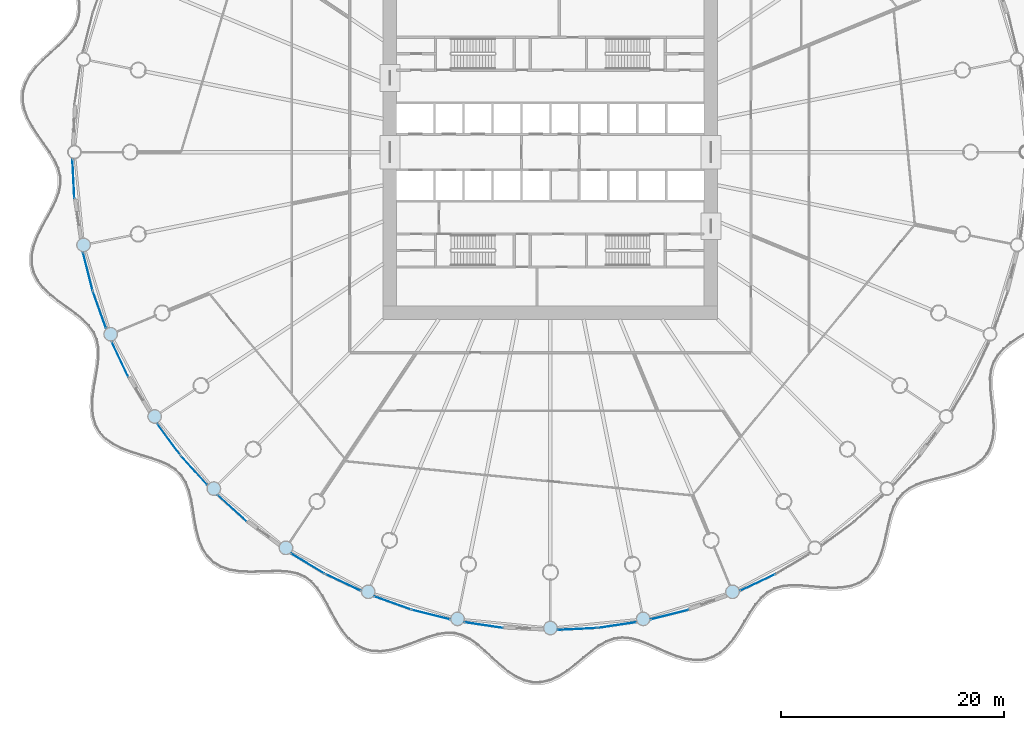
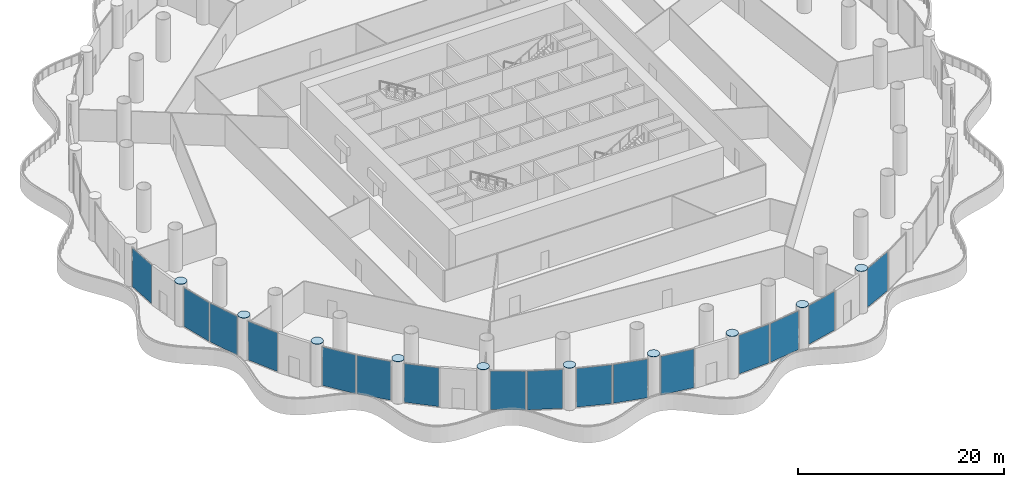
# One storey, part 19 of 38: 26 plates, 16 elements without a shape of their own.
"""IFC4 building model written with IfcOpenShell, lengths in metres."""

from ifc_helpers import new_model, si_unit, direction, frame, origin, origin_2d, place, context, subcontext, project, spatial, polyline, rectangle, outline, extrude, material, layer, layer_set, type_object, element, aggregate, save


model = new_model("IFC4")

# Units and contexts
model_context = context("Model", 3, precision=1e-05, world=origin(), true_north=direction((0.0, 1.0)))
body_context = subcontext(model_context, "Body", "Model", "MODEL_VIEW")
ifc_project = project(units=[si_unit("LENGTHUNIT", "METRE"), si_unit("AREAUNIT", "SQUARE_METRE"), si_unit("VOLUMEUNIT", "CUBIC_METRE"), si_unit("PLANEANGLEUNIT", "RADIAN"), si_unit("MASSUNIT", "GRAM", prefix="KILO")], contexts=[model_context])

# Site, building, storey
site_placement = place(None, origin())
site = spatial("IfcSite", under=ifc_project, at=site_placement, CompositionType="ELEMENT")
building_placement = place(site_placement, origin())
building = spatial("IfcBuilding", under=site, at=building_placement, Name="Corvane Civic Tower", CompositionType="ELEMENT")
storey_placement = place(building_placement, frame((0.0, 0.0, 32.0)))
storey = spatial("IfcBuildingStorey", under=building, at=storey_placement, Name="L06", CompositionType="ELEMENT", Elevation=32.0)

# Plates
ifc_material_1 = material(Name="Steel ASTM A572 Gr 50", Category="steel")
ifc_layer_1 = layer(ifc_material_1, 0.050048828125)
ifc_layer_set_1 = layer_set([ifc_layer_1], Name="Steel ASTM A572 Gr 50")
plate_type_1 = type_object("IfcPlateType", Name="COLUMN CAP PLATE 50", PredefinedType="SHEET", material=ifc_layer_set_1)
plate_1_placement = place(storey_placement, frame((0.0, 0.0, 5.0)))
element("IfcPlate", 1, at=plate_1_placement, inside=storey, type_object=plate_type_1, Name="PL-L06-cap-G15", PredefinedType="SHEET", context=body_context, shape_type="SweptSolid", body=[
    extrude(outline(polyline([(16.940673828125, -39.44970703125), (16.935302734375, -39.371337890625), (16.920166015625, -39.29443359375), (16.89501953125, -39.22021484375), (16.860107421875, -39.149658203125), (16.816650390625, -39.08447265625), (16.764892578125, -39.025390625), (16.705810546875, -38.9736328125), (16.640625, -38.93017578125), (16.5703125, -38.8955078125), (16.495849609375, -38.8701171875), (16.4189453125, -38.854736328125), (16.340576171875, -38.849609375), (16.26220703125, -38.854736328125), (16.185302734375, -38.8701171875), (16.111083984375, -38.8955078125), (16.04052734375, -38.93017578125), (15.975341796875, -38.9736328125), (15.916259765625, -39.025390625), (15.864501953125, -39.08447265625), (15.821044921875, -39.149658203125), (15.7861328125, -39.22021484375), (15.760986328125, -39.29443359375), (15.74560546875, -39.371337890625), (15.740478515625, -39.44970703125), (15.74560546875, -39.528076171875), (15.760986328125, -39.60498046875), (15.7861328125, -39.67919921875), (15.821044921875, -39.749755859375), (15.864501953125, -39.81494140625), (15.916259765625, -39.8740234375), (15.975341796875, -39.92578125), (16.04052734375, -39.96923828125), (16.111083984375, -40.00390625), (16.185302734375, -40.029296875), (16.26220703125, -40.044677734375), (16.340576171875, -40.0498046875), (16.4189453125, -40.044677734375), (16.495849609375, -40.029296875), (16.5703125, -40.00390625), (16.640625, -39.96923828125), (16.705810546875, -39.92578125), (16.764892578125, -39.8740234375), (16.816650390625, -39.81494140625), (16.860107421875, -39.749755859375), (16.89501953125, -39.67919921875), (16.920166015625, -39.60498046875), (16.935302734375, -39.528076171875), (16.940673828125, -39.44970703125)])), origin(), (0.0, 0.0, 1.0), 0.050048828125),
])
plate_2_placement = place(storey_placement, frame((0.0, 0.0, 5.0)))
element("IfcPlate", 2, at=plate_2_placement, inside=storey, type_object=plate_type_1, Name="PL-L06-cap-G16", PredefinedType="SHEET", context=body_context, shape_type="SweptSolid", body=[
    extrude(outline(polyline([(8.930419921875, -41.879638671875), (8.92529296875, -41.80126953125), (8.909912109375, -41.724365234375), (8.884521484375, -41.64990234375), (8.849853515625, -41.57958984375), (8.806396484375, -41.514404296875), (8.754638671875, -41.455322265625), (8.695556640625, -41.403564453125), (8.63037109375, -41.360107421875), (8.559814453125, -41.3251953125), (8.485595703125, -41.300048828125), (8.40869140625, -41.284912109375), (8.330322265625, -41.279541015625), (8.251953125, -41.284912109375), (8.175048828125, -41.300048828125), (8.1005859375, -41.3251953125), (8.0302734375, -41.360107421875), (7.965087890625, -41.403564453125), (7.906005859375, -41.455322265625), (7.854248046875, -41.514404296875), (7.810791015625, -41.57958984375), (7.77587890625, -41.64990234375), (7.750732421875, -41.724365234375), (7.735595703125, -41.80126953125), (7.730224609375, -41.879638671875), (7.735595703125, -41.9580078125), (7.750732421875, -42.034912109375), (7.77587890625, -42.109130859375), (7.810791015625, -42.1796875), (7.854248046875, -42.244873046875), (7.906005859375, -42.303955078125), (7.965087890625, -42.355712890625), (8.0302734375, -42.3994140625), (8.1005859375, -42.43408203125), (8.175048828125, -42.459228515625), (8.251953125, -42.474609375), (8.330322265625, -42.4794921875), (8.40869140625, -42.474609375), (8.485595703125, -42.459228515625), (8.559814453125, -42.43408203125), (8.63037109375, -42.3994140625), (8.695556640625, -42.355712890625), (8.754638671875, -42.303955078125), (8.806396484375, -42.244873046875), (8.849853515625, -42.1796875), (8.884521484375, -42.109130859375), (8.909912109375, -42.034912109375), (8.92529296875, -41.9580078125), (8.930419921875, -41.879638671875)])), origin(), (0.0, 0.0, 1.0), 0.050048828125),
])
plate_3_placement = place(storey_placement, frame((0.0, 0.0, 5.0)))
element("IfcPlate", 3, at=plate_3_placement, inside=storey, type_object=plate_type_1, Name="PL-L06-cap-G17", PredefinedType="SHEET", context=body_context, shape_type="SweptSolid", body=[
    extrude(outline(polyline([(0.60009765625, -42.699951171875), (0.594970703125, -42.62158203125), (0.57958984375, -42.544677734375), (0.55419921875, -42.47021484375), (0.51953125, -42.39990234375), (0.47607421875, -42.334716796875), (0.42431640625, -42.275634765625), (0.365234375, -42.223876953125), (0.300048828125, -42.180419921875), (0.2294921875, -42.1455078125), (0.1552734375, -42.120361328125), (0.078369140625, -42.10498046875), (0.0, -42.10009765625), (-0.078369140625, -42.10498046875), (-0.1552734375, -42.120361328125), (-0.2294921875, -42.1455078125), (-0.300048828125, -42.180419921875), (-0.365234375, -42.223876953125), (-0.42431640625, -42.275634765625), (-0.47607421875, -42.334716796875), (-0.51953125, -42.39990234375), (-0.55419921875, -42.47021484375), (-0.57958984375, -42.544677734375), (-0.594970703125, -42.62158203125), (-0.60009765625, -42.699951171875), (-0.594970703125, -42.7783203125), (-0.57958984375, -42.855224609375), (-0.55419921875, -42.9296875), (-0.51953125, -43.0), (-0.47607421875, -43.065185546875), (-0.42431640625, -43.124267578125), (-0.365234375, -43.176025390625), (-0.300048828125, -43.219482421875), (-0.2294921875, -43.25439453125), (-0.1552734375, -43.279541015625), (-0.078369140625, -43.294921875), (0.0, -43.300048828125), (0.078369140625, -43.294921875), (0.1552734375, -43.279541015625), (0.2294921875, -43.25439453125), (0.300048828125, -43.219482421875), (0.365234375, -43.176025390625), (0.42431640625, -43.124267578125), (0.47607421875, -43.065185546875), (0.51953125, -43.0), (0.55419921875, -42.9296875), (0.57958984375, -42.855224609375), (0.594970703125, -42.7783203125), (0.60009765625, -42.699951171875)])), origin(), (0.0, 0.0, 1.0), 0.050048828125),
])
plate_4_placement = place(storey_placement, frame((0.0, 0.0, 5.0)))
element("IfcPlate", 4, at=plate_4_placement, inside=storey, type_object=plate_type_1, Name="PL-L06-cap-G18", PredefinedType="SHEET", context=body_context, shape_type="SweptSolid", body=[
    extrude(outline(polyline([(-7.730224609375, -41.879638671875), (-7.735595703125, -41.80126953125), (-7.750732421875, -41.724365234375), (-7.77587890625, -41.64990234375), (-7.810791015625, -41.57958984375), (-7.854248046875, -41.514404296875), (-7.906005859375, -41.455322265625), (-7.965087890625, -41.403564453125), (-8.0302734375, -41.360107421875), (-8.1005859375, -41.3251953125), (-8.175048828125, -41.300048828125), (-8.251953125, -41.284912109375), (-8.330322265625, -41.279541015625), (-8.40869140625, -41.284912109375), (-8.485595703125, -41.300048828125), (-8.559814453125, -41.3251953125), (-8.63037109375, -41.360107421875), (-8.695556640625, -41.403564453125), (-8.754638671875, -41.455322265625), (-8.806396484375, -41.514404296875), (-8.849853515625, -41.57958984375), (-8.884521484375, -41.64990234375), (-8.909912109375, -41.724365234375), (-8.92529296875, -41.80126953125), (-8.930419921875, -41.879638671875), (-8.92529296875, -41.9580078125), (-8.909912109375, -42.034912109375), (-8.884521484375, -42.109130859375), (-8.849853515625, -42.1796875), (-8.806396484375, -42.244873046875), (-8.754638671875, -42.303955078125), (-8.695556640625, -42.355712890625), (-8.63037109375, -42.3994140625), (-8.559814453125, -42.43408203125), (-8.485595703125, -42.459228515625), (-8.40869140625, -42.474609375), (-8.330322265625, -42.4794921875), (-8.251953125, -42.474609375), (-8.175048828125, -42.459228515625), (-8.1005859375, -42.43408203125), (-8.0302734375, -42.3994140625), (-7.965087890625, -42.355712890625), (-7.906005859375, -42.303955078125), (-7.854248046875, -42.244873046875), (-7.810791015625, -42.1796875), (-7.77587890625, -42.109130859375), (-7.750732421875, -42.034912109375), (-7.735595703125, -41.9580078125), (-7.730224609375, -41.879638671875)])), origin(), (0.0, 0.0, 1.0), 0.050048828125),
])
plate_5_placement = place(storey_placement, frame((0.0, 0.0, 5.0)))
element("IfcPlate", 5, at=plate_5_placement, inside=storey, type_object=plate_type_1, Name="PL-L06-cap-G19", PredefinedType="SHEET", context=body_context, shape_type="SweptSolid", body=[
    extrude(outline(polyline([(-15.740478515625, -39.44970703125), (-15.74560546875, -39.371337890625), (-15.760986328125, -39.29443359375), (-15.7861328125, -39.22021484375), (-15.821044921875, -39.149658203125), (-15.864501953125, -39.08447265625), (-15.916259765625, -39.025390625), (-15.975341796875, -38.9736328125), (-16.04052734375, -38.93017578125), (-16.111083984375, -38.8955078125), (-16.185302734375, -38.8701171875), (-16.26220703125, -38.854736328125), (-16.340576171875, -38.849609375), (-16.4189453125, -38.854736328125), (-16.495849609375, -38.8701171875), (-16.5703125, -38.8955078125), (-16.640625, -38.93017578125), (-16.705810546875, -38.9736328125), (-16.764892578125, -39.025390625), (-16.816650390625, -39.08447265625), (-16.860107421875, -39.149658203125), (-16.89501953125, -39.22021484375), (-16.920166015625, -39.29443359375), (-16.935302734375, -39.371337890625), (-16.940673828125, -39.44970703125), (-16.935302734375, -39.528076171875), (-16.920166015625, -39.60498046875), (-16.89501953125, -39.67919921875), (-16.860107421875, -39.749755859375), (-16.816650390625, -39.81494140625), (-16.764892578125, -39.8740234375), (-16.705810546875, -39.92578125), (-16.640625, -39.96923828125), (-16.5703125, -40.00390625), (-16.495849609375, -40.029296875), (-16.4189453125, -40.044677734375), (-16.340576171875, -40.0498046875), (-16.26220703125, -40.044677734375), (-16.185302734375, -40.029296875), (-16.111083984375, -40.00390625), (-16.04052734375, -39.96923828125), (-15.975341796875, -39.92578125), (-15.916259765625, -39.8740234375), (-15.864501953125, -39.81494140625), (-15.821044921875, -39.749755859375), (-15.7861328125, -39.67919921875), (-15.760986328125, -39.60498046875), (-15.74560546875, -39.528076171875), (-15.740478515625, -39.44970703125)])), origin(), (0.0, 0.0, 1.0), 0.050048828125),
])
plate_6_placement = place(storey_placement, frame((0.0, 0.0, 5.0)))
element("IfcPlate", 6, at=plate_6_placement, inside=storey, type_object=plate_type_1, Name="PL-L06-cap-G20", PredefinedType="SHEET", context=body_context, shape_type="SweptSolid", body=[
    extrude(outline(polyline([(-23.122802734375, -35.503662109375), (-23.1279296875, -35.42529296875), (-23.143310546875, -35.348388671875), (-23.168701171875, -35.274169921875), (-23.203369140625, -35.20361328125), (-23.246826171875, -35.138427734375), (-23.298583984375, -35.079345703125), (-23.357666015625, -35.027587890625), (-23.4228515625, -34.98388671875), (-23.493408203125, -34.94921875), (-23.567626953125, -34.924072265625), (-23.64453125, -34.90869140625), (-23.722900390625, -34.90380859375), (-23.80126953125, -34.90869140625), (-23.878173828125, -34.924072265625), (-23.952392578125, -34.94921875), (-24.02294921875, -34.98388671875), (-24.088134765625, -35.027587890625), (-24.147216796875, -35.079345703125), (-24.198974609375, -35.138427734375), (-24.242431640625, -35.20361328125), (-24.277099609375, -35.274169921875), (-24.302490234375, -35.348388671875), (-24.31787109375, -35.42529296875), (-24.322998046875, -35.503662109375), (-24.31787109375, -35.58203125), (-24.302490234375, -35.658935546875), (-24.277099609375, -35.7333984375), (-24.242431640625, -35.8037109375), (-24.198974609375, -35.868896484375), (-24.147216796875, -35.927978515625), (-24.088134765625, -35.979736328125), (-24.02294921875, -36.023193359375), (-23.952392578125, -36.05810546875), (-23.878173828125, -36.083251953125), (-23.80126953125, -36.098388671875), (-23.722900390625, -36.103759765625), (-23.64453125, -36.098388671875), (-23.567626953125, -36.083251953125), (-23.493408203125, -36.05810546875), (-23.4228515625, -36.023193359375), (-23.357666015625, -35.979736328125), (-23.298583984375, -35.927978515625), (-23.246826171875, -35.868896484375), (-23.203369140625, -35.8037109375), (-23.168701171875, -35.7333984375), (-23.143310546875, -35.658935546875), (-23.1279296875, -35.58203125), (-23.122802734375, -35.503662109375)])), origin(), (0.0, 0.0, 1.0), 0.050048828125),
])
plate_7_placement = place(storey_placement, frame((0.0, 0.0, 5.0)))
element("IfcPlate", 7, at=plate_7_placement, inside=storey, type_object=plate_type_1, Name="PL-L06-cap-G21", PredefinedType="SHEET", context=body_context, shape_type="SweptSolid", body=[
    extrude(outline(polyline([(-29.593505859375, -30.193359375), (-29.598388671875, -30.114990234375), (-29.61376953125, -30.0380859375), (-29.638916015625, -29.963623046875), (-29.673583984375, -29.893310546875), (-29.71728515625, -29.828125), (-29.76904296875, -29.76904296875), (-29.828125, -29.71728515625), (-29.893310546875, -29.673583984375), (-29.963623046875, -29.638916015625), (-30.0380859375, -29.61376953125), (-30.114990234375, -29.598388671875), (-30.193359375, -29.593505859375), (-30.271728515625, -29.598388671875), (-30.3486328125, -29.61376953125), (-30.423095703125, -29.638916015625), (-30.493408203125, -29.673583984375), (-30.55859375, -29.71728515625), (-30.61767578125, -29.76904296875), (-30.66943359375, -29.828125), (-30.712890625, -29.893310546875), (-30.747802734375, -29.963623046875), (-30.77294921875, -30.0380859375), (-30.7880859375, -30.114990234375), (-30.79345703125, -30.193359375), (-30.7880859375, -30.271728515625), (-30.77294921875, -30.3486328125), (-30.747802734375, -30.423095703125), (-30.712890625, -30.493408203125), (-30.66943359375, -30.55859375), (-30.61767578125, -30.61767578125), (-30.55859375, -30.66943359375), (-30.493408203125, -30.712890625), (-30.423095703125, -30.747802734375), (-30.3486328125, -30.77294921875), (-30.271728515625, -30.7880859375), (-30.193359375, -30.79345703125), (-30.114990234375, -30.7880859375), (-30.0380859375, -30.77294921875), (-29.963623046875, -30.747802734375), (-29.893310546875, -30.712890625), (-29.828125, -30.66943359375), (-29.76904296875, -30.61767578125), (-29.71728515625, -30.55859375), (-29.673583984375, -30.493408203125), (-29.638916015625, -30.423095703125), (-29.61376953125, -30.3486328125), (-29.598388671875, -30.271728515625), (-29.593505859375, -30.193359375)])), origin(), (0.0, 0.0, 1.0), 0.050048828125),
])
plate_8_placement = place(storey_placement, frame((0.0, 0.0, 5.0)))
element("IfcPlate", 8, at=plate_8_placement, inside=storey, type_object=plate_type_1, Name="PL-L06-cap-G22", PredefinedType="SHEET", context=body_context, shape_type="SweptSolid", body=[
    extrude(outline(polyline([(-34.90380859375, -23.722900390625), (-34.90869140625, -23.64453125), (-34.924072265625, -23.567626953125), (-34.94921875, -23.493408203125), (-34.98388671875, -23.4228515625), (-35.027587890625, -23.357666015625), (-35.079345703125, -23.298583984375), (-35.138427734375, -23.246826171875), (-35.20361328125, -23.203369140625), (-35.274169921875, -23.168701171875), (-35.348388671875, -23.143310546875), (-35.42529296875, -23.1279296875), (-35.503662109375, -23.122802734375), (-35.58203125, -23.1279296875), (-35.658935546875, -23.143310546875), (-35.7333984375, -23.168701171875), (-35.8037109375, -23.203369140625), (-35.868896484375, -23.246826171875), (-35.927978515625, -23.298583984375), (-35.979736328125, -23.357666015625), (-36.023193359375, -23.4228515625), (-36.05810546875, -23.493408203125), (-36.083251953125, -23.567626953125), (-36.098388671875, -23.64453125), (-36.103759765625, -23.722900390625), (-36.098388671875, -23.80126953125), (-36.083251953125, -23.878173828125), (-36.05810546875, -23.952392578125), (-36.023193359375, -24.02294921875), (-35.979736328125, -24.088134765625), (-35.927978515625, -24.147216796875), (-35.868896484375, -24.198974609375), (-35.8037109375, -24.242431640625), (-35.7333984375, -24.277099609375), (-35.658935546875, -24.302490234375), (-35.58203125, -24.31787109375), (-35.503662109375, -24.322998046875), (-35.42529296875, -24.31787109375), (-35.348388671875, -24.302490234375), (-35.274169921875, -24.277099609375), (-35.20361328125, -24.242431640625), (-35.138427734375, -24.198974609375), (-35.079345703125, -24.147216796875), (-35.027587890625, -24.088134765625), (-34.98388671875, -24.02294921875), (-34.94921875, -23.952392578125), (-34.924072265625, -23.878173828125), (-34.90869140625, -23.80126953125), (-34.90380859375, -23.722900390625)])), origin(), (0.0, 0.0, 1.0), 0.050048828125),
])
plate_9_placement = place(storey_placement, frame((0.0, 0.0, 5.0)))
element("IfcPlate", 9, at=plate_9_placement, inside=storey, type_object=plate_type_1, Name="PL-L06-cap-G23", PredefinedType="SHEET", context=body_context, shape_type="SweptSolid", body=[
    extrude(outline(polyline([(-38.849609375, -16.340576171875), (-38.854736328125, -16.26220703125), (-38.8701171875, -16.185302734375), (-38.8955078125, -16.111083984375), (-38.93017578125, -16.04052734375), (-38.9736328125, -15.975341796875), (-39.025390625, -15.916259765625), (-39.08447265625, -15.864501953125), (-39.149658203125, -15.821044921875), (-39.22021484375, -15.7861328125), (-39.29443359375, -15.760986328125), (-39.371337890625, -15.74560546875), (-39.44970703125, -15.740478515625), (-39.528076171875, -15.74560546875), (-39.60498046875, -15.760986328125), (-39.67919921875, -15.7861328125), (-39.749755859375, -15.821044921875), (-39.81494140625, -15.864501953125), (-39.8740234375, -15.916259765625), (-39.92578125, -15.975341796875), (-39.96923828125, -16.04052734375), (-40.00390625, -16.111083984375), (-40.029296875, -16.185302734375), (-40.044677734375, -16.26220703125), (-40.0498046875, -16.340576171875), (-40.044677734375, -16.4189453125), (-40.029296875, -16.495849609375), (-40.00390625, -16.5703125), (-39.96923828125, -16.640625), (-39.92578125, -16.705810546875), (-39.8740234375, -16.764892578125), (-39.81494140625, -16.816650390625), (-39.749755859375, -16.860107421875), (-39.67919921875, -16.89501953125), (-39.60498046875, -16.920166015625), (-39.528076171875, -16.935302734375), (-39.44970703125, -16.940673828125), (-39.371337890625, -16.935302734375), (-39.29443359375, -16.920166015625), (-39.22021484375, -16.89501953125), (-39.149658203125, -16.860107421875), (-39.08447265625, -16.816650390625), (-39.025390625, -16.764892578125), (-38.9736328125, -16.705810546875), (-38.93017578125, -16.640625), (-38.8955078125, -16.5703125), (-38.8701171875, -16.495849609375), (-38.854736328125, -16.4189453125), (-38.849609375, -16.340576171875)])), origin(), (0.0, 0.0, 1.0), 0.050048828125),
])
plate_10_placement = place(storey_placement, frame((0.0, 0.0, 5.0)))
element("IfcPlate", 10, at=plate_10_placement, inside=storey, type_object=plate_type_1, Name="PL-L06-cap-G24", PredefinedType="SHEET", context=body_context, shape_type="SweptSolid", body=[
    extrude(outline(polyline([(-41.279541015625, -8.330322265625), (-41.284912109375, -8.251953125), (-41.300048828125, -8.175048828125), (-41.3251953125, -8.1005859375), (-41.360107421875, -8.0302734375), (-41.403564453125, -7.965087890625), (-41.455322265625, -7.906005859375), (-41.514404296875, -7.854248046875), (-41.57958984375, -7.810791015625), (-41.64990234375, -7.77587890625), (-41.724365234375, -7.750732421875), (-41.80126953125, -7.735595703125), (-41.879638671875, -7.730224609375), (-41.9580078125, -7.735595703125), (-42.034912109375, -7.750732421875), (-42.109130859375, -7.77587890625), (-42.1796875, -7.810791015625), (-42.244873046875, -7.854248046875), (-42.303955078125, -7.906005859375), (-42.355712890625, -7.965087890625), (-42.3994140625, -8.0302734375), (-42.43408203125, -8.1005859375), (-42.459228515625, -8.175048828125), (-42.474609375, -8.251953125), (-42.4794921875, -8.330322265625), (-42.474609375, -8.40869140625), (-42.459228515625, -8.485595703125), (-42.43408203125, -8.559814453125), (-42.3994140625, -8.63037109375), (-42.355712890625, -8.695556640625), (-42.303955078125, -8.754638671875), (-42.244873046875, -8.806396484375), (-42.1796875, -8.849853515625), (-42.109130859375, -8.884521484375), (-42.034912109375, -8.909912109375), (-41.9580078125, -8.92529296875), (-41.879638671875, -8.930419921875), (-41.80126953125, -8.92529296875), (-41.724365234375, -8.909912109375), (-41.64990234375, -8.884521484375), (-41.57958984375, -8.849853515625), (-41.514404296875, -8.806396484375), (-41.455322265625, -8.754638671875), (-41.403564453125, -8.695556640625), (-41.360107421875, -8.63037109375), (-41.3251953125, -8.559814453125), (-41.300048828125, -8.485595703125), (-41.284912109375, -8.40869140625), (-41.279541015625, -8.330322265625)])), origin(), (0.0, 0.0, 1.0), 0.050048828125),
])

# Curtain wall, plate
ifc_material_2 = material(Name="Aluminium and glass", Category="aluminium")
curtain_wall_type = type_object("IfcCurtainWallType", Name="PODIUM-CW-P-RUN", PredefinedType="NOTDEFINED", material=ifc_material_2)
curtain_wall_1_placement = place(storey_placement, origin())
curtain_wall_1 = element("IfcCurtainWall", 11, at=curtain_wall_1_placement, inside=storey, type_object=curtain_wall_type, Name="PODI run L06-drum-14B", PredefinedType="NOTDEFINED")
ifc_material_3 = material(Name="Glass tinted low-e laminated", Category="glass")
ifc_layer_2 = layer(ifc_material_3, 0.031982421875)
ifc_layer_set_2 = layer_set([ifc_layer_2], Name="Glass tinted low-e laminated")
plate_type_2 = type_object("IfcPlateType", Name="PODIUM-CWP-PANEL-IGU32", PredefinedType="CURTAIN_PANEL", material=ifc_layer_set_2)
plate_11_placement = place(storey_placement, frame((18.595458984375, -38.614990234375, 0.06005859375), z_axis=(0.0, 0.0, 1.0), x_axis=(-0.903990222454, -0.42755312852, 0.0)))
plate_11 = element("IfcPlate", 12, at=plate_11_placement, type_object=plate_type_2, Name="CW-P panel 1.1", PredefinedType="CURTAIN_PANEL", context=body_context, shape_type="SweptSolid", body=[
    extrude(rectangle(XDim=3.4599609375, YDim=0.031982421875, at=origin_2d()), origin(), (0.0, 0.0, 1.0), 4.580078125),
])
aggregate(curtain_wall_1, [plate_11])

curtain_wall_2_placement = place(storey_placement, origin())
curtain_wall_2 = element("IfcCurtainWall", 13, at=curtain_wall_2_placement, inside=storey, type_object=curtain_wall_type, Name="PODI run L06-drum-15B", PredefinedType="NOTDEFINED")
plate_12_placement = place(storey_placement, frame((10.70458984375, -41.5009765625, 0.06005859375), z_axis=(0.0, 0.0, 1.0), x_axis=(-0.970024070659, -0.243008852393, 0.0)))
plate_12 = element("IfcPlate", 14, at=plate_12_placement, type_object=plate_type_2, Name="CW-P panel 1.1", PredefinedType="CURTAIN_PANEL", context=body_context, shape_type="SweptSolid", body=[
    extrude(rectangle(XDim=3.459716796875, YDim=0.031982421875, at=origin_2d()), origin(), (0.0, 0.0, 1.0), 4.580078125),
])
aggregate(curtain_wall_2, [plate_12])

curtain_wall_3_placement = place(storey_placement, origin())
curtain_wall_3 = element("IfcCurtainWall", 15, at=curtain_wall_3_placement, inside=storey, type_object=curtain_wall_type, Name="PODI run L06-drum-16A", PredefinedType="NOTDEFINED")
plate_13_placement = place(storey_placement, frame((5.991943359375, -42.4384765625, 0.06005859375), z_axis=(0.0, 0.0, 1.0), x_axis=(-0.989178850608, -0.146714694252, 0.0)))
plate_13 = element("IfcPlate", 16, at=plate_13_placement, type_object=plate_type_2, Name="CW-P panel 1.1", PredefinedType="CURTAIN_PANEL", context=body_context, shape_type="SweptSolid", body=[
    extrude(rectangle(XDim=3.459716796875, YDim=0.031982421875, at=origin_2d()), origin(), (0.0, 0.0, 1.0), 4.580078125),
])
aggregate(curtain_wall_3, [plate_13])

curtain_wall_4_placement = place(storey_placement, origin())
curtain_wall_4 = element("IfcCurtainWall", 17, at=curtain_wall_4_placement, inside=storey, type_object=curtain_wall_type, Name="PODI run L06-drum-16B", PredefinedType="NOTDEFINED")
plate_14_placement = place(storey_placement, frame((2.402587890625, -42.7919921875, 0.06005859375), z_axis=(0.0, 0.0, 1.0), x_axis=(-0.998796316803, -0.04905015332, 0.0)))
plate_14 = element("IfcPlate", 18, at=plate_14_placement, type_object=plate_type_2, Name="CW-P panel 1.1", PredefinedType="CURTAIN_PANEL", context=body_context, shape_type="SweptSolid", body=[
    extrude(rectangle(XDim=3.4599609375, YDim=0.031982421875, at=origin_2d()), origin(), (0.0, 0.0, 1.0), 4.580078125),
])
aggregate(curtain_wall_4, [plate_14])

curtain_wall_5_placement = place(storey_placement, origin())
curtain_wall_5 = element("IfcCurtainWall", 19, at=curtain_wall_5_placement, inside=storey, type_object=curtain_wall_type, Name="PODI run L06-drum-17B", PredefinedType="NOTDEFINED")
plate_15_placement = place(storey_placement, frame((-5.991943359375, -42.4384765625, 0.06005859375), z_axis=(0.0, 0.0, 1.0), x_axis=(-0.989178850608, 0.146714694252, 0.0)))
plate_15 = element("IfcPlate", 20, at=plate_15_placement, type_object=plate_type_2, Name="CW-P panel 1.1", PredefinedType="CURTAIN_PANEL", context=body_context, shape_type="SweptSolid", body=[
    extrude(rectangle(XDim=3.459716796875, YDim=0.031982421875, at=origin_2d()), origin(), (0.0, 0.0, 1.0), 4.580078125),
])
aggregate(curtain_wall_5, [plate_15])

curtain_wall_6_placement = place(storey_placement, origin())
curtain_wall_6 = element("IfcCurtainWall", 21, at=curtain_wall_6_placement, inside=storey, type_object=curtain_wall_type, Name="PODI run L06-drum-18A", PredefinedType="NOTDEFINED")
plate_16_placement = place(storey_placement, frame((-10.70458984375, -41.5009765625, 0.06005859375), z_axis=(0.0, 0.0, 1.0), x_axis=(-0.970024070659, 0.243008852393, 0.0)))
plate_16 = element("IfcPlate", 22, at=plate_16_placement, type_object=plate_type_2, Name="CW-P panel 1.1", PredefinedType="CURTAIN_PANEL", context=body_context, shape_type="SweptSolid", body=[
    extrude(rectangle(XDim=3.459716796875, YDim=0.031982421875, at=origin_2d()), origin(), (0.0, 0.0, 1.0), 4.580078125),
])
aggregate(curtain_wall_6, [plate_16])

curtain_wall_7_placement = place(storey_placement, origin())
curtain_wall_7 = element("IfcCurtainWall", 23, at=curtain_wall_7_placement, inside=storey, type_object=curtain_wall_type, Name="PODI run L06-drum-18B", PredefinedType="NOTDEFINED")
plate_17_placement = place(storey_placement, frame((-14.156005859375, -40.453857421875, 0.06005859375), z_axis=(0.0, 0.0, 1.0), x_axis=(-0.941533802561, 0.336918534123, 0.0)))
plate_17 = element("IfcPlate", 24, at=plate_17_placement, type_object=plate_type_2, Name="CW-P panel 1.1", PredefinedType="CURTAIN_PANEL", context=body_context, shape_type="SweptSolid", body=[
    extrude(rectangle(XDim=3.459716796875, YDim=0.031982421875, at=origin_2d()), origin(), (0.0, 0.0, 1.0), 4.580078125),
])
aggregate(curtain_wall_7, [plate_17])

curtain_wall_8_placement = place(storey_placement, origin())
curtain_wall_8 = element("IfcCurtainWall", 25, at=curtain_wall_8_placement, inside=storey, type_object=curtain_wall_type, Name="PODI run L06-drum-19A", PredefinedType="NOTDEFINED")
plate_18_placement = place(storey_placement, frame((-18.595458984375, -38.614990234375, 0.06005859375), z_axis=(0.0, 0.0, 1.0), x_axis=(-0.903990222454, 0.42755312852, 0.0)))
plate_18 = element("IfcPlate", 26, at=plate_18_placement, type_object=plate_type_2, Name="CW-P panel 1.1", PredefinedType="CURTAIN_PANEL", context=body_context, shape_type="SweptSolid", body=[
    extrude(rectangle(XDim=3.4599609375, YDim=0.031982421875, at=origin_2d()), origin(), (0.0, 0.0, 1.0), 4.580078125),
])
aggregate(curtain_wall_8, [plate_18])

curtain_wall_9_placement = place(storey_placement, origin())
curtain_wall_9 = element("IfcCurtainWall", 27, at=curtain_wall_9_placement, inside=storey, type_object=curtain_wall_type, Name="PODI run L06-drum-19B", PredefinedType="NOTDEFINED")
plate_19_placement = place(storey_placement, frame((-21.776123046875, -36.914794921875, 0.06005859375), z_axis=(0.0, 0.0, 1.0), x_axis=(-0.857719609779, 0.514117759857, 0.0)))
plate_19 = element("IfcPlate", 28, at=plate_19_placement, type_object=plate_type_2, Name="CW-P panel 1.1", PredefinedType="CURTAIN_PANEL", context=body_context, shape_type="SweptSolid", body=[
    extrude(rectangle(XDim=3.459716796875, YDim=0.031982421875, at=origin_2d()), origin(), (0.0, 0.0, 1.0), 4.580078125),
])
aggregate(curtain_wall_9, [plate_19])

curtain_wall_10_placement = place(storey_placement, origin())
curtain_wall_10 = element("IfcCurtainWall", 29, at=curtain_wall_10_placement, inside=storey, type_object=curtain_wall_type, Name="PODI run L06-drum-20B", PredefinedType="NOTDEFINED")
plate_20_placement = place(storey_placement, frame((-28.5595703125, -31.957275390625, 0.06005859375), z_axis=(0.0, 0.0, 1.0), x_axis=(-0.740935261089, 0.671576457952, 0.0)))
plate_20 = element("IfcPlate", 30, at=plate_20_placement, type_object=plate_type_2, Name="CW-P panel 1.1", PredefinedType="CURTAIN_PANEL", context=body_context, shape_type="SweptSolid", body=[
    extrude(rectangle(XDim=3.4599609375, YDim=0.031982421875, at=origin_2d()), origin(), (0.0, 0.0, 1.0), 4.580078125),
])
aggregate(curtain_wall_10, [plate_20])

curtain_wall_11_placement = place(storey_placement, origin())
curtain_wall_11 = element("IfcCurtainWall", 31, at=curtain_wall_11_placement, inside=storey, type_object=curtain_wall_type, Name="PODI run L06-drum-21A", PredefinedType="NOTDEFINED")
plate_21_placement = place(storey_placement, frame((-31.957275390625, -28.5595703125, 0.06005859375), z_axis=(0.0, 0.0, 1.0), x_axis=(-0.671576457952, 0.740935261089, 0.0)))
plate_21 = element("IfcPlate", 32, at=plate_21_placement, type_object=plate_type_2, Name="CW-P panel 1.1", PredefinedType="CURTAIN_PANEL", context=body_context, shape_type="SweptSolid", body=[
    extrude(rectangle(XDim=3.4599609375, YDim=0.031982421875, at=origin_2d()), origin(), (0.0, 0.0, 1.0), 4.580078125),
])
aggregate(curtain_wall_11, [plate_21])

curtain_wall_12_placement = place(storey_placement, origin())
curtain_wall_12 = element("IfcCurtainWall", 33, at=curtain_wall_12_placement, inside=storey, type_object=curtain_wall_type, Name="PODI run L06-drum-21B", PredefinedType="NOTDEFINED")
plate_22_placement = place(storey_placement, frame((-34.245361328125, -25.771484375, 0.06005859375), z_axis=(0.0, 0.0, 1.0), x_axis=(-0.595705104665, 0.803203229747, 0.0)))
plate_22 = element("IfcPlate", 34, at=plate_22_placement, type_object=plate_type_2, Name="CW-P panel 1.1", PredefinedType="CURTAIN_PANEL", context=body_context, shape_type="SweptSolid", body=[
    extrude(rectangle(XDim=3.459716796875, YDim=0.031982421875, at=origin_2d()), origin(), (0.0, 0.0, 1.0), 4.580078125),
])
aggregate(curtain_wall_12, [plate_22])

curtain_wall_13_placement = place(storey_placement, origin())
curtain_wall_13 = element("IfcCurtainWall", 35, at=curtain_wall_13_placement, inside=storey, type_object=curtain_wall_type, Name="PODI run L06-drum-22B", PredefinedType="NOTDEFINED")
plate_23_placement = place(storey_placement, frame((-38.614990234375, -18.595458984375, 0.06005859375), z_axis=(0.0, 0.0, 1.0), x_axis=(-0.42755312852, 0.903990222454, 0.0)))
plate_23 = element("IfcPlate", 36, at=plate_23_placement, type_object=plate_type_2, Name="CW-P panel 1.1", PredefinedType="CURTAIN_PANEL", context=body_context, shape_type="SweptSolid", body=[
    extrude(rectangle(XDim=3.4599609375, YDim=0.031982421875, at=origin_2d()), origin(), (0.0, 0.0, 1.0), 4.580078125),
])
aggregate(curtain_wall_13, [plate_23])

curtain_wall_14_placement = place(storey_placement, origin())
curtain_wall_14 = element("IfcCurtainWall", 37, at=curtain_wall_14_placement, inside=storey, type_object=curtain_wall_type, Name="PODI run L06-drum-23A", PredefinedType="NOTDEFINED")
plate_24_placement = place(storey_placement, frame((-40.453857421875, -14.156005859375, 0.06005859375), z_axis=(0.0, 0.0, 1.0), x_axis=(-0.336918534123, 0.941533802561, 0.0)))
plate_24 = element("IfcPlate", 38, at=plate_24_placement, type_object=plate_type_2, Name="CW-P panel 1.1", PredefinedType="CURTAIN_PANEL", context=body_context, shape_type="SweptSolid", body=[
    extrude(rectangle(XDim=3.459716796875, YDim=0.031982421875, at=origin_2d()), origin(), (0.0, 0.0, 1.0), 4.580078125),
])
aggregate(curtain_wall_14, [plate_24])

curtain_wall_15_placement = place(storey_placement, origin())
curtain_wall_15 = element("IfcCurtainWall", 39, at=curtain_wall_15_placement, inside=storey, type_object=curtain_wall_type, Name="PODI run L06-drum-23B", PredefinedType="NOTDEFINED")
plate_25_placement = place(storey_placement, frame((-41.5009765625, -10.70458984375, 0.06005859375), z_axis=(0.0, 0.0, 1.0), x_axis=(-0.243008852393, 0.970024070659, 0.0)))
plate_25 = element("IfcPlate", 40, at=plate_25_placement, type_object=plate_type_2, Name="CW-P panel 1.1", PredefinedType="CURTAIN_PANEL", context=body_context, shape_type="SweptSolid", body=[
    extrude(rectangle(XDim=3.459716796875, YDim=0.031982421875, at=origin_2d()), origin(), (0.0, 0.0, 1.0), 4.580078125),
])
aggregate(curtain_wall_15, [plate_25])

curtain_wall_16_placement = place(storey_placement, origin())
curtain_wall_16 = element("IfcCurtainWall", 41, at=curtain_wall_16_placement, inside=storey, type_object=curtain_wall_type, Name="PODI run L06-drum-24B", PredefinedType="NOTDEFINED")
plate_26_placement = place(storey_placement, frame((-42.7919921875, -2.402587890625, 0.06005859375), z_axis=(0.0, 0.0, 1.0), x_axis=(-0.04905015332, 0.998796316803, 0.0)))
plate_26 = element("IfcPlate", 42, at=plate_26_placement, type_object=plate_type_2, Name="CW-P panel 1.1", PredefinedType="CURTAIN_PANEL", context=body_context, shape_type="SweptSolid", body=[
    extrude(rectangle(XDim=3.4599609375, YDim=0.031982421875, at=origin_2d()), origin(), (0.0, 0.0, 1.0), 4.580078125),
])
aggregate(curtain_wall_16, [plate_26])

save(model, "model.ifc")
